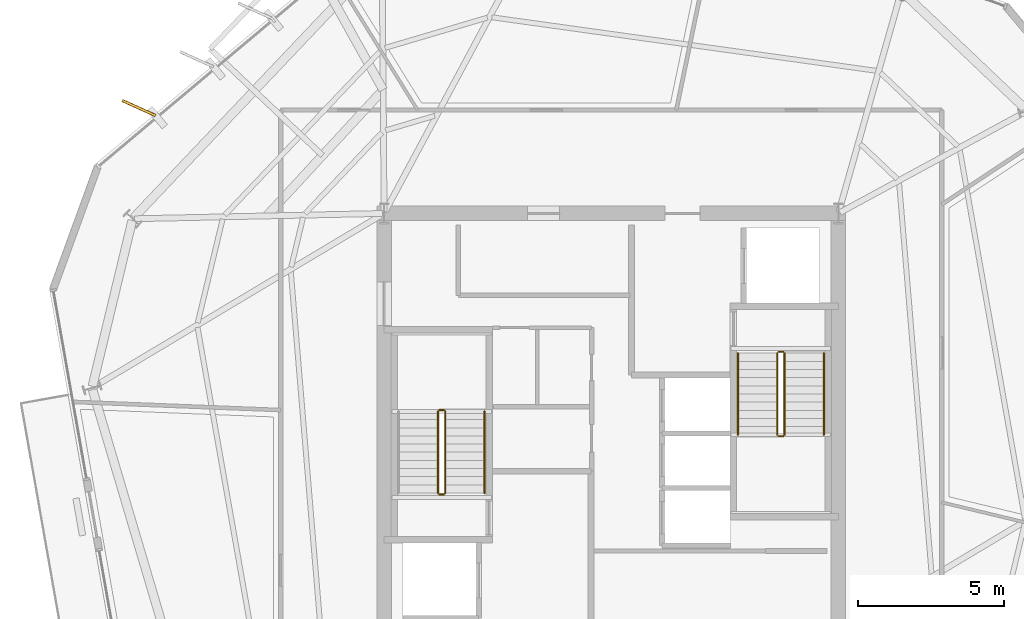
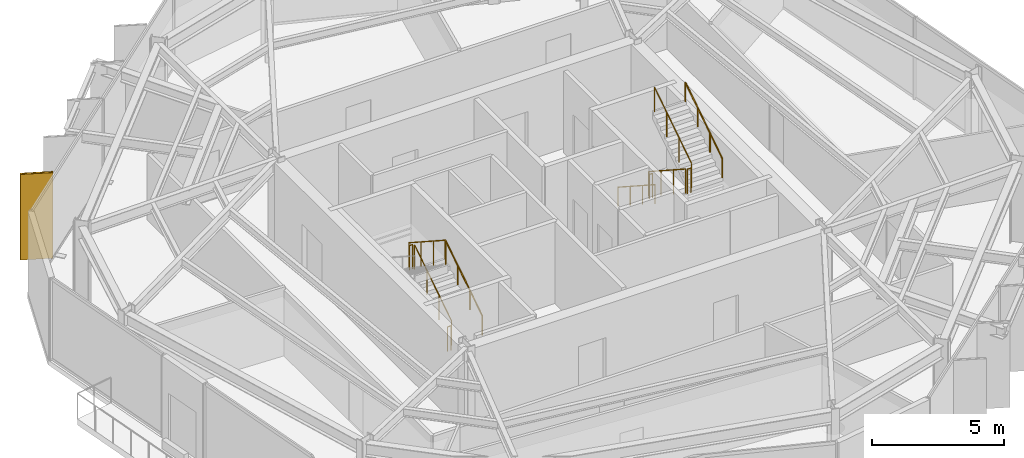
# One storey, part 10 of 11: 11 railings, 1 covering, 1 shading device.
"""IFC4 building model written with IfcOpenShell, lengths in metres."""

from ifc_helpers import new_model, si_unit, direction, frame, origin, origin_2d, place, context, subcontext, project, spatial, rectangle, circle, extrude, material, layer, layer_set, type_object, element, save


model = new_model("IFC4")

# Units and contexts
model_context = context("Model", 3, precision=1e-05, world=origin(), true_north=direction((0.0, 1.0)))
body_context = subcontext(model_context, "Body", "Model", "MODEL_VIEW")
ifc_project = project(units=[si_unit("LENGTHUNIT", "METRE"), si_unit("AREAUNIT", "SQUARE_METRE"), si_unit("VOLUMEUNIT", "CUBIC_METRE"), si_unit("PLANEANGLEUNIT", "RADIAN"), si_unit("MASSUNIT", "GRAM", prefix="KILO")], contexts=[model_context])

# Site, building, storey
site_placement = place(None, origin())
site = spatial("IfcSite", under=ifc_project, at=site_placement, CompositionType="ELEMENT")
building_placement = place(site_placement, origin())
building = spatial("IfcBuilding", under=site, at=building_placement, Name="Kranzbogen Civic Tower", CompositionType="ELEMENT")
storey_placement = place(building_placement, frame((0.0, 0.0, 184.800048828125)))
storey = spatial("IfcBuildingStorey", under=building, at=storey_placement, Name="L44", CompositionType="ELEMENT", Elevation=184.800048828125)

# Covering
ifc_material_1 = material(Name="Pale Anodised Aluminium", Category="aluminium")
ifc_layer = layer(ifc_material_1, 0.02490234375, Name="Pale Anodised Aluminium")
ifc_layer_set = layer_set([ifc_layer], Name="Pale Anodised Aluminium")
covering_type = type_object("IfcCoveringType", Name="Anodised Aluminium Vertical Fin Cladding 25 mm", PredefinedType="CLADDING", material=ifc_layer_set)
covering_placement = place(storey_placement, frame((8.780029296875, 35.819091796875, -0.14013671875), z_axis=(0.0, 0.0, 1.0), x_axis=(-0.91100063367, 0.412404953235, 0.0)))
element("IfcCovering", 1, at=covering_placement, inside=storey, type_object=covering_type, Name="L44 vertical fin pale-metal cladding F2-5", PredefinedType="CLADDING", context=body_context, shape_type="SweptSolid", body=[
    extrude(rectangle(XDim=1.25, YDim=0.10009765625, at=origin_2d()), origin(), (0.0, 0.0, 1.0), 3.9599609375),
])

# Shading device
ifc_material_2 = material(Name="Anodised Bronze Aluminium", Category="aluminium")
shading_device_type = type_object("IfcShadingDeviceType", Name="Anodised Bronze Vertical Facade Fin 1250x80", PredefinedType="USERDEFINED", material=ifc_material_2)
shading_device_placement = place(storey_placement, frame((8.780029296875, 35.819091796875, -0.14013671875), z_axis=(0.0, 0.0, 1.0), x_axis=(-0.91100063367, 0.412404953235, 0.0)))
element("IfcShadingDevice", 2, at=shading_device_placement, inside=storey, type_object=shading_device_type, Name="L44 vertical exterior shading fin F2-5", ObjectType="FIN", PredefinedType="USERDEFINED", context=body_context, shape_type="SweptSolid", body=[
    extrude(rectangle(XDim=1.25, YDim=0.080078125, at=origin_2d()), origin(), (0.0, 0.0, 1.0), 3.9599609375),
])

# Railings
ifc_material_3 = material(Name="Steel S355", Category="steel")
railing_type_1 = type_object("IfcRailingType", Name="Internal Stair and Void Steel Guardrail 1150", PredefinedType="GUARDRAIL", material=ifc_material_3)
railing_1_placement = place(storey_placement, frame((19.300048828125, 22.60009765625, 0.181884765625)))
element("IfcRailing", 3, at=railing_1_placement, inside=storey, type_object=railing_type_1, Name="L44 ST-T1 stair guard 1", PredefinedType="GUARDRAIL", context=body_context, shape_type="SweptSolid", body=[
    extrude(circle(Radius=0.02392578125, at=origin_2d()), frame((0.0, 0.0, 1.1259765625), z_axis=(0.0, 0.83868413941, 0.544618136222), x_axis=(-1.0, 0.0, 0.0)), (0.0, 0.0, 1.0), 3.33837890625),
    extrude(circle(Radius=0.02099609375, at=origin_2d()), origin(), (0.0, 0.0, 1.0), 1.101806640625),
    extrude(circle(Radius=0.02099609375, at=origin_2d()), frame((0.0, 0.933349609375, 0.60595703125)), (0.0, 0.0, 1.0), 1.101806640625),
    extrude(circle(Radius=0.02099609375, at=origin_2d()), frame((0.0, 1.866455078125, 1.212158203125)), (0.0, 0.0, 1.0), 1.101806640625),
    extrude(circle(Radius=0.02099609375, at=origin_2d()), frame((0.0, 2.7998046875, 1.818115234375)), (0.0, 0.0, 1.0), 1.101806640625),
])
railing_2_placement = place(storey_placement, frame((19.25, 25.449951171875, 2.0)))
element("IfcRailing", 4, at=railing_2_placement, inside=storey, type_object=railing_type_1, Name="L44 ST-T1 stair guard 2", PredefinedType="GUARDRAIL", context=body_context, shape_type="SweptSolid", body=[
    extrude(circle(Radius=0.02392578125, at=origin_2d()), frame((0.0, 0.0, 1.1259765625), z_axis=(-1.0, 0.0, 0.0), x_axis=(0.0, -1.0, 0.0)), (0.0, 0.0, 1.0), 0.14990234375),
    extrude(circle(Radius=0.02099609375, at=origin_2d()), origin(), (0.0, 0.0, 1.0), 1.101806640625),
    extrude(circle(Radius=0.02099609375, at=origin_2d()), frame((-0.14990234375, 0.0, 0.0)), (0.0, 0.0, 1.0), 1.101806640625),
])
railing_3_placement = place(storey_placement, frame((19.050048828125, 25.39990234375, 2.181884765625)))
element("IfcRailing", 5, at=railing_3_placement, inside=storey, type_object=railing_type_1, Name="L44 ST-T1 stair guard 3", PredefinedType="GUARDRAIL", context=body_context, shape_type="SweptSolid", body=[
    extrude(circle(Radius=0.02392578125, at=origin_2d()), frame((0.0, 0.0, 1.1259765625), z_axis=(0.0, -0.83868413941, 0.544618136222), x_axis=(1.0, 0.0, 0.0)), (0.0, 0.0, 1.0), 3.33837890625),
    extrude(circle(Radius=0.02099609375, at=origin_2d()), origin(), (0.0, 0.0, 1.0), 1.101806640625),
    extrude(circle(Radius=0.02099609375, at=origin_2d()), frame((0.0, -0.933349609375, 0.60595703125)), (0.0, 0.0, 1.0), 1.101806640625),
    extrude(circle(Radius=0.02099609375, at=origin_2d()), frame((0.0, -1.866455078125, 1.212158203125)), (0.0, 0.0, 1.0), 1.101806640625),
    extrude(circle(Radius=0.02099609375, at=origin_2d()), frame((0.0, -2.7998046875, 1.818115234375)), (0.0, 0.0, 1.0), 1.101806640625),
])
railing_4_placement = place(storey_placement, frame((19.25, 22.550048828125, 0.0)))
element("IfcRailing", 6, at=railing_4_placement, inside=storey, type_object=railing_type_1, Name="L44 ST-T1 stair guard 4", PredefinedType="GUARDRAIL", context=body_context, shape_type="SweptSolid", body=[
    extrude(circle(Radius=0.02392578125, at=origin_2d()), frame((0.0, 0.0, 1.1259765625), z_axis=(-1.0, 0.0, 0.0), x_axis=(0.0, -1.0, 0.0)), (0.0, 0.0, 1.0), 0.14990234375),
    extrude(circle(Radius=0.02099609375, at=origin_2d()), origin(), (0.0, 0.0, 1.0), 1.101806640625),
    extrude(circle(Radius=0.02099609375, at=origin_2d()), frame((-0.14990234375, 0.0, 0.0)), (0.0, 0.0, 1.0), 1.101806640625),
])
railing_5_placement = place(storey_placement, frame((30.699951171875, 27.39990234375, 0.181884765625)))
element("IfcRailing", 7, at=railing_5_placement, inside=storey, type_object=railing_type_1, Name="L44 ST-T2 stair guard 1", PredefinedType="GUARDRAIL", context=body_context, shape_type="SweptSolid", body=[
    extrude(circle(Radius=0.02392578125, at=origin_2d()), frame((0.0, 0.0, 1.1259765625), z_axis=(0.0, -0.83868413941, 0.544618136222), x_axis=(1.0, 0.0, 0.0)), (0.0, 0.0, 1.0), 3.33837890625),
    extrude(circle(Radius=0.02099609375, at=origin_2d()), origin(), (0.0, 0.0, 1.0), 1.101806640625),
    extrude(circle(Radius=0.02099609375, at=origin_2d()), frame((0.0, -0.933349609375, 0.60595703125)), (0.0, 0.0, 1.0), 1.101806640625),
    extrude(circle(Radius=0.02099609375, at=origin_2d()), frame((0.0, -1.866455078125, 1.212158203125)), (0.0, 0.0, 1.0), 1.101806640625),
    extrude(circle(Radius=0.02099609375, at=origin_2d()), frame((0.0, -2.7998046875, 1.818115234375)), (0.0, 0.0, 1.0), 1.101806640625),
])
railing_6_placement = place(storey_placement, frame((30.75, 24.550048828125, 2.0)))
element("IfcRailing", 8, at=railing_6_placement, inside=storey, type_object=railing_type_1, Name="L44 ST-T2 stair guard 2", PredefinedType="GUARDRAIL", context=body_context, shape_type="SweptSolid", body=[
    extrude(circle(Radius=0.02392578125, at=origin_2d()), frame((0.0, 0.0, 1.1259765625), z_axis=(1.0, 0.0, 0.0), x_axis=(0.0, 1.0, 0.0)), (0.0, 0.0, 1.0), 0.14990234375),
    extrude(circle(Radius=0.02099609375, at=origin_2d()), origin(), (0.0, 0.0, 1.0), 1.101806640625),
    extrude(circle(Radius=0.02099609375, at=origin_2d()), frame((0.14990234375, 0.0, 0.0)), (0.0, 0.0, 1.0), 1.101806640625),
])
railing_7_placement = place(storey_placement, frame((30.949951171875, 24.60009765625, 2.181884765625)))
element("IfcRailing", 9, at=railing_7_placement, inside=storey, type_object=railing_type_1, Name="L44 ST-T2 stair guard 3", PredefinedType="GUARDRAIL", context=body_context, shape_type="SweptSolid", body=[
    extrude(circle(Radius=0.02392578125, at=origin_2d()), frame((0.0, 0.0, 1.1259765625), z_axis=(0.0, 0.83868413941, 0.544618136222), x_axis=(-1.0, 0.0, 0.0)), (0.0, 0.0, 1.0), 3.33837890625),
    extrude(circle(Radius=0.02099609375, at=origin_2d()), origin(), (0.0, 0.0, 1.0), 1.101806640625),
    extrude(circle(Radius=0.02099609375, at=origin_2d()), frame((0.0, 0.933349609375, 0.60595703125)), (0.0, 0.0, 1.0), 1.101806640625),
    extrude(circle(Radius=0.02099609375, at=origin_2d()), frame((0.0, 1.866455078125, 1.212158203125)), (0.0, 0.0, 1.0), 1.101806640625),
    extrude(circle(Radius=0.02099609375, at=origin_2d()), frame((0.0, 2.7998046875, 1.818115234375)), (0.0, 0.0, 1.0), 1.101806640625),
])
railing_8_placement = place(storey_placement, frame((30.75, 27.449951171875, 0.0)))
element("IfcRailing", 10, at=railing_8_placement, inside=storey, type_object=railing_type_1, Name="L44 ST-T2 stair guard 4", PredefinedType="GUARDRAIL", context=body_context, shape_type="SweptSolid", body=[
    extrude(circle(Radius=0.02392578125, at=origin_2d()), frame((0.0, 0.0, 1.1259765625), z_axis=(1.0, 0.0, 0.0), x_axis=(0.0, 1.0, 0.0)), (0.0, 0.0, 1.0), 0.14990234375),
    extrude(circle(Radius=0.02099609375, at=origin_2d()), origin(), (0.0, 0.0, 1.0), 1.101806640625),
    extrude(circle(Radius=0.02099609375, at=origin_2d()), frame((0.14990234375, 0.0, 0.0)), (0.0, 0.0, 1.0), 1.101806640625),
])
railing_type_2 = type_object("IfcRailingType", Name="Tubular Stainless Stair Wall Handrail 900", PredefinedType="HANDRAIL", material=ifc_material_1)
railing_9_placement = place(storey_placement, frame((20.64990234375, 22.60009765625, 0.181884765625)))
element("IfcRailing", 11, at=railing_9_placement, inside=storey, type_object=railing_type_2, Name="L44 ST-T1 stair handrail 1", PredefinedType="HANDRAIL", context=body_context, shape_type="SweptSolid", body=[
    extrude(circle(Radius=0.02392578125, at=origin_2d()), frame((0.0, 0.0, 0.8759765625), z_axis=(0.0, 0.83868413941, 0.544618136222), x_axis=(-1.0, 0.0, 0.0)), (0.0, 0.0, 1.0), 3.33837890625),
    extrude(circle(Radius=0.02099609375, at=origin_2d()), origin(), (0.0, 0.0, 1.0), 0.851806640625),
    extrude(circle(Radius=0.02099609375, at=origin_2d()), frame((0.0, 0.933349609375, 0.60595703125)), (0.0, 0.0, 1.0), 0.851806640625),
    extrude(circle(Radius=0.02099609375, at=origin_2d()), frame((0.0, 1.866455078125, 1.212158203125)), (0.0, 0.0, 1.0), 0.851806640625),
    extrude(circle(Radius=0.02099609375, at=origin_2d()), frame((0.0, 2.7998046875, 1.818115234375)), (0.0, 0.0, 1.0), 0.851806640625),
])
railing_10_placement = place(storey_placement, frame((29.35009765625, 27.39990234375, 0.181884765625)))
element("IfcRailing", 12, at=railing_10_placement, inside=storey, type_object=railing_type_2, Name="L44 ST-T2 stair handrail 1", PredefinedType="HANDRAIL", context=body_context, shape_type="SweptSolid", body=[
    extrude(circle(Radius=0.02392578125, at=origin_2d()), frame((0.0, 0.0, 0.8759765625), z_axis=(0.0, -0.83868413941, 0.544618136222), x_axis=(1.0, 0.0, 0.0)), (0.0, 0.0, 1.0), 3.33837890625),
    extrude(circle(Radius=0.02099609375, at=origin_2d()), origin(), (0.0, 0.0, 1.0), 0.851806640625),
    extrude(circle(Radius=0.02099609375, at=origin_2d()), frame((0.0, -0.933349609375, 0.60595703125)), (0.0, 0.0, 1.0), 0.851806640625),
    extrude(circle(Radius=0.02099609375, at=origin_2d()), frame((0.0, -1.866455078125, 1.212158203125)), (0.0, 0.0, 1.0), 0.851806640625),
    extrude(circle(Radius=0.02099609375, at=origin_2d()), frame((0.0, -2.7998046875, 1.818115234375)), (0.0, 0.0, 1.0), 0.851806640625),
])
railing_11_placement = place(storey_placement, frame((32.300048828125, 24.60009765625, 2.181884765625)))
element("IfcRailing", 13, at=railing_11_placement, inside=storey, type_object=railing_type_2, Name="L44 ST-T2 stair handrail 2", PredefinedType="HANDRAIL", context=body_context, shape_type="SweptSolid", body=[
    extrude(circle(Radius=0.02392578125, at=origin_2d()), frame((0.0, 0.0, 0.8759765625), z_axis=(0.0, 0.83868413941, 0.544618136222), x_axis=(-1.0, 0.0, 0.0)), (0.0, 0.0, 1.0), 3.33837890625),
    extrude(circle(Radius=0.02099609375, at=origin_2d()), origin(), (0.0, 0.0, 1.0), 0.851806640625),
    extrude(circle(Radius=0.02099609375, at=origin_2d()), frame((0.0, 0.933349609375, 0.60595703125)), (0.0, 0.0, 1.0), 0.851806640625),
    extrude(circle(Radius=0.02099609375, at=origin_2d()), frame((0.0, 1.866455078125, 1.212158203125)), (0.0, 0.0, 1.0), 0.851806640625),
    extrude(circle(Radius=0.02099609375, at=origin_2d()), frame((0.0, 2.7998046875, 1.818115234375)), (0.0, 0.0, 1.0), 0.851806640625),
])

save(model, "model.ifc")
